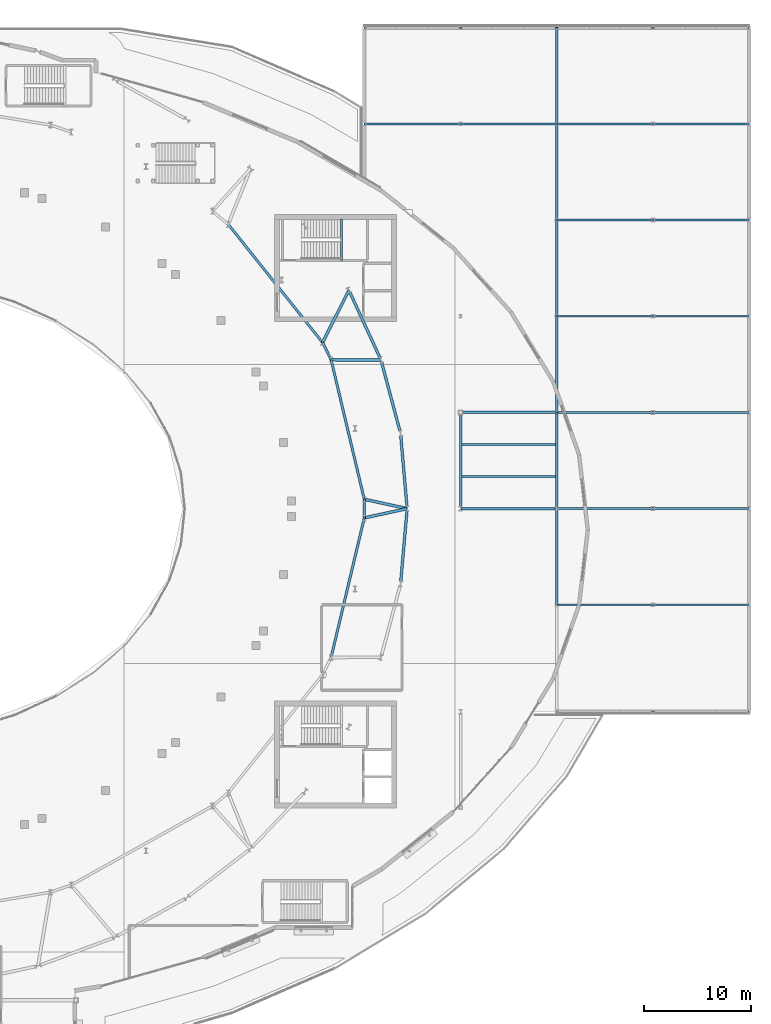
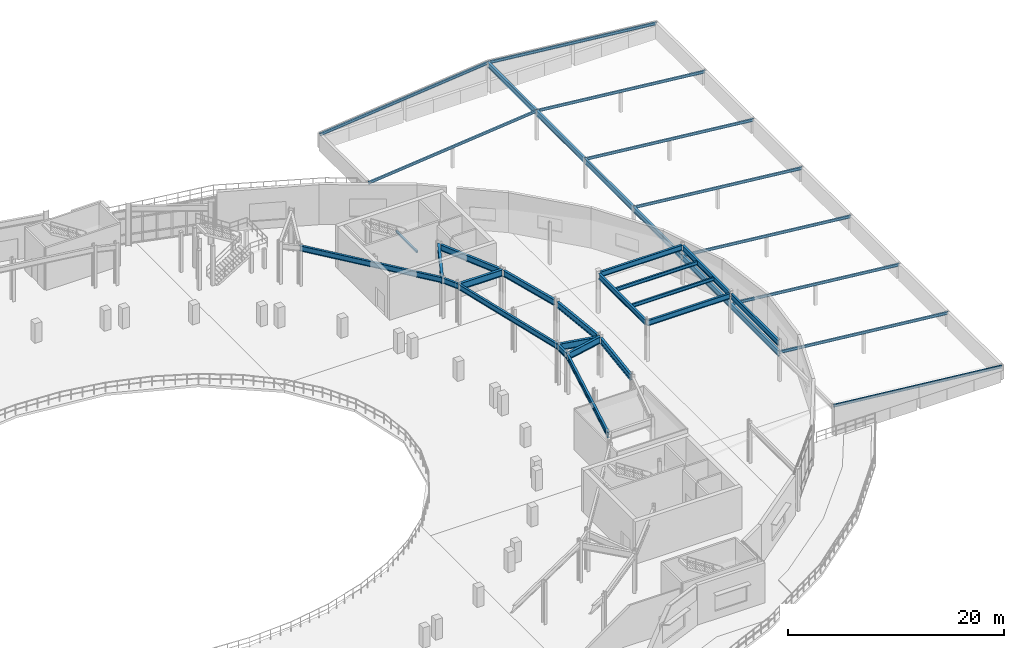
# One storey, part 48 of 84: 37 beams.
"""IFC4 building model written with IfcOpenShell, lengths in metres."""

from ifc_helpers import new_model, si_unit, direction, frame, origin, origin_2d, place, context, subcontext, project, spatial, hollow_rectangle, i_section, extrude, material, material_profile, profile_set, type_object, element, save


model = new_model("IFC4")

# Units and contexts
model_context = context("Model", 3, precision=1e-05, world=origin(), true_north=direction((0.0, 1.0)))
body_context = subcontext(model_context, "Body", "Model", "MODEL_VIEW")
ifc_project = project(units=[si_unit("LENGTHUNIT", "METRE"), si_unit("AREAUNIT", "SQUARE_METRE"), si_unit("VOLUMEUNIT", "CUBIC_METRE"), si_unit("PLANEANGLEUNIT", "RADIAN"), si_unit("MASSUNIT", "GRAM", prefix="KILO")], contexts=[model_context])

# Site, building, storey
site_placement = place(None, origin())
site = spatial("IfcSite", under=ifc_project, at=site_placement, CompositionType="ELEMENT")
building_placement = place(site_placement, origin())
building = spatial("IfcBuilding", under=site, at=building_placement, Name="Glasvene Arena", CompositionType="ELEMENT")
storey_placement = place(building_placement, frame((0.0, 0.0, 10.199951171875)))
storey = spatial("IfcBuildingStorey", under=building, at=storey_placement, Name="L02", CompositionType="ELEMENT", Elevation=10.199951171875)

# Beams
ifc_material = material(Name="Steel S355J2", Category="steel")
ifc_material_profile_1 = material_profile(ifc_material, i_section(OverallWidth=0.228271484375, OverallDepth=0.607666015625, WebThickness=0.010986328125, FlangeThickness=0.017333984375, FilletRadius=0.0126953125, at=origin_2d()), Name="UKB 610x229x113")
ifc_profile_set_1 = profile_set([ifc_material_profile_1], Name="Steel S355J2")
beam_type_1 = type_object("IfcBeamType", Name="BM-GIRD-610", PredefinedType="BEAM", material=ifc_profile_set_1)
beam_1_placement = place(storey_placement, frame((147.050048828125, 73.0, 4.21630859375), z_axis=(1.0, 0.0, 0.0), x_axis=(0.0, 1.0, 0.0)))
element("IfcBeam", 1, at=beam_1_placement, inside=storey, type_object=beam_type_1, Name="Primary X girder L02-0817", PredefinedType="BEAM", context=body_context, shape_type="SweptSolid", body=[
    extrude(i_section(OverallWidth=0.228271484375, OverallDepth=0.607666015625, WebThickness=0.010986328125, FlangeThickness=0.017333984375, FilletRadius=0.0126953125, at=origin_2d()), origin(), (0.0, 0.0, 1.0), 8.804931640625),
])
beam_2_placement = place(storey_placement, frame((147.1982421875, 82.0, 4.21630859375), z_axis=(1.0, 0.0, 0.0), x_axis=(0.0, 1.0, 0.0)))
element("IfcBeam", 2, at=beam_2_placement, inside=storey, type_object=beam_type_1, Name="Primary X girder L02-0818", PredefinedType="BEAM", context=body_context, shape_type="SweptSolid", body=[
    extrude(i_section(OverallWidth=0.228271484375, OverallDepth=0.607666015625, WebThickness=0.010986328125, FlangeThickness=0.017333984375, FilletRadius=0.0126953125, at=origin_2d()), origin(), (0.0, 0.0, 1.0), 8.751708984375),
])
beam_3_placement = place(storey_placement, frame((147.0, 73.195068359375, 4.21630859375), z_axis=(0.0, 1.0, 0.0), x_axis=(-1.0, 0.0, 0.0)))
element("IfcBeam", 3, at=beam_3_placement, inside=storey, type_object=beam_type_1, Name="Primary Y girder L02-0878", PredefinedType="BEAM", context=body_context, shape_type="SweptSolid", body=[
    extrude(i_section(OverallWidth=0.228271484375, OverallDepth=0.607666015625, WebThickness=0.010986328125, FlangeThickness=0.017333984375, FilletRadius=0.0126953125, at=origin_2d()), origin(), (0.0, 0.0, 1.0), 8.606689453125),
])
for number, where, z_axis, x_axis, name in (
    (4, (156.0, 64.125244140625, 4.21630859375), (0.0, 1.0, 0.0), (-1.0, 0.0, 0.0), "Primary Y girder L02-0879"),
    (5, (156.0, 73.14501953125, 4.21630859375), (0.0, 1.0, 0.0), (-1.0, 0.0, 0.0), "Primary Y girder L02-0880"),
):
    element("IfcBeam", number, at=place(storey_placement, frame(where, z_axis=z_axis, x_axis=x_axis)), inside=storey, type_object=beam_type_1, Name=name, PredefinedType="BEAM", context=body_context, shape_type="SweptSolid", body=[
        extrude(i_section(OverallWidth=0.228271484375, OverallDepth=0.607666015625, WebThickness=0.010986328125, FlangeThickness=0.017333984375, FilletRadius=0.0126953125, at=origin_2d()), origin(), (0.0, 0.0, 1.0), 8.729736328125),
    ])
beam_4_placement = place(storey_placement, frame((137.98828125, 73.87353515625, 4.215087890625), z_axis=(-0.23122513322, 0.972900271234, 0.0), x_axis=(-0.972900271234, -0.23122513322, 0.0)))
element("IfcBeam", 6, at=beam_4_placement, inside=storey, type_object=beam_type_1, Name="Concourse inner ring girder L02-01", PredefinedType="BEAM", context=body_context, shape_type="SweptSolid", body=[
    extrude(i_section(OverallWidth=0.228271484375, OverallDepth=0.607666015625, WebThickness=0.010986328125, FlangeThickness=0.017333984375, FilletRadius=0.0126953125, at=origin_2d()), origin(), (0.0, 0.0, 1.0), 13.41259765625),
])
beam_5_placement = place(storey_placement, frame((134.886962890625, 86.922607421875, 4.215087890625), z_axis=(-0.443576698242, 0.896236415672, 0.0), x_axis=(-0.896236415672, -0.443576698242, 0.0)))
element("IfcBeam", 7, at=beam_5_placement, inside=storey, type_object=beam_type_1, Name="Concourse inner ring girder L02-02", PredefinedType="BEAM", context=body_context, shape_type="SweptSolid", body=[
    extrude(i_section(OverallWidth=0.228271484375, OverallDepth=0.607666015625, WebThickness=0.010986328125, FlangeThickness=0.017333984375, FilletRadius=0.0126953125, at=origin_2d()), origin(), (0.0, 0.0, 1.0), 1.80078125),
])
beam_6_placement = place(storey_placement, frame((134.088134765625, 88.53662109375, 4.215087890625), z_axis=(-0.623899670594, 0.781504447226, 0.0), x_axis=(-0.781504447226, -0.623899670594, 0.0)))
element("IfcBeam", 8, at=beam_6_placement, inside=storey, type_object=beam_type_1, Name="Concourse inner ring girder L02-03", PredefinedType="BEAM", context=body_context, shape_type="SweptSolid", body=[
    extrude(i_section(OverallWidth=0.228271484375, OverallDepth=0.607666015625, WebThickness=0.010986328125, FlangeThickness=0.017333984375, FilletRadius=0.0126953125, at=origin_2d()), origin(), (0.0, 0.0, 1.0), 14.1552734375),
])
beam_7_placement = place(storey_placement, frame((134.886962890625, 59.077392578125, 4.215087890625), z_axis=(0.23122513322, 0.972900271234, 0.0), x_axis=(-0.972900271234, 0.23122513322, 0.0)))
element("IfcBeam", 9, at=beam_7_placement, inside=storey, type_object=beam_type_1, Name="Concourse inner ring girder L02-31", PredefinedType="BEAM", context=body_context, shape_type="SweptSolid", body=[
    extrude(i_section(OverallWidth=0.228271484375, OverallDepth=0.607666015625, WebThickness=0.010986328125, FlangeThickness=0.017333984375, FilletRadius=0.0126953125, at=origin_2d()), origin(), (0.0, 0.0, 1.0), 13.41259765625),
])
beam_8_placement = place(storey_placement, frame((137.98828125, 72.12646484375, 4.215087890625), z_axis=(0.0, 1.0, 0.0), x_axis=(-1.0, 0.0, 0.0)))
element("IfcBeam", 10, at=beam_8_placement, inside=storey, type_object=beam_type_1, Name="Concourse inner ring girder L02-32", PredefinedType="BEAM", context=body_context, shape_type="SweptSolid", body=[
    extrude(i_section(OverallWidth=0.228271484375, OverallDepth=0.607666015625, WebThickness=0.010986328125, FlangeThickness=0.017333984375, FilletRadius=0.0126953125, at=origin_2d()), origin(), (0.0, 0.0, 1.0), 1.7470703125),
])
for number, where, z_axis, x_axis, name in (
    (11, (156.0, 64.0, 3.080078125), (0.0, 1.0, 0.0), (-1.0, 0.0, 0.0), "Wing roof ridge beam V5-64"),
    (12, (156.0, 73.0, 3.080078125), (0.0, 1.0, 0.0), (-1.0, 0.0, 0.0), "Wing roof ridge beam V5-73"),
    (13, (156.0, 82.0, 3.080078125), (0.0, 1.0, 0.0), (-1.0, 0.0, 0.0), "Wing roof ridge beam V5-82"),
    (14, (156.0, 91.0, 3.080078125), (0.0, 1.0, 0.0), (-1.0, 0.0, 0.0), "Wing roof ridge beam V5-91"),
    (15, (156.0, 100.0, 3.080078125), (0.0, 1.0, 0.0), (-1.0, 0.0, 0.0), "Wing roof ridge beam V5-100"),
    (16, (156.0, 109.0, 3.080078125), (0.0, 1.0, 0.0), (-1.0, 0.0, 0.0), "Wing roof ridge beam V5-109"),
):
    element("IfcBeam", number, at=place(storey_placement, frame(where, z_axis=z_axis, x_axis=x_axis)), inside=storey, type_object=beam_type_1, Name=name, PredefinedType="BEAM", context=body_context, shape_type="SweptSolid", body=[
        extrude(i_section(OverallWidth=0.228271484375, OverallDepth=0.607666015625, WebThickness=0.010986328125, FlangeThickness=0.017333984375, FilletRadius=0.0126953125, at=origin_2d()), origin(), (0.0, 0.0, 1.0), 9.0),
    ])
ifc_material_profile_2 = material_profile(ifc_material, i_section(OverallWidth=0.253662109375, OverallDepth=0.68359375, WebThickness=0.012451171875, FlangeThickness=0.01904296875, FilletRadius=0.01513671875, at=origin_2d()), Name="UKB 686x254x140")
ifc_profile_set_2 = profile_set([ifc_material_profile_2], Name="Steel S355J2")
beam_type_2 = type_object("IfcBeamType", Name="BM-GIRD-686", PredefinedType="BEAM", material=ifc_profile_set_2)
beam_9_placement = place(storey_placement, frame((141.97900390625, 73.239013671875, 4.178466796875), z_axis=(-0.087106255104, 0.996199026461, 0.0), x_axis=(-0.996199026461, -0.087106255104, 0.0)))
element("IfcBeam", 17, at=beam_9_placement, inside=storey, type_object=beam_type_2, Name="Bowl ring chord beam L02-01", PredefinedType="BEAM", context=body_context, shape_type="SweptSolid", body=[
    extrude(i_section(OverallWidth=0.253662109375, OverallDepth=0.68359375, WebThickness=0.012451171875, FlangeThickness=0.01904296875, FilletRadius=0.01513671875, at=origin_2d()), origin(), (0.0, 0.0, 1.0), 6.586669921875),
])
beam_10_placement = place(storey_placement, frame((141.322509765625, 80.271484375, 4.178466796875), z_axis=(-0.257729153992, 0.966217202901, 0.0), x_axis=(-0.966217202901, -0.257729153992, 0.0)))
element("IfcBeam", 18, at=beam_10_placement, inside=storey, type_object=beam_type_2, Name="Bowl ring chord beam L02-02", PredefinedType="BEAM", context=body_context, shape_type="SweptSolid", body=[
    extrude(i_section(OverallWidth=0.253662109375, OverallDepth=0.68359375, WebThickness=0.012451171875, FlangeThickness=0.01904296875, FilletRadius=0.01513671875, at=origin_2d()), origin(), (0.0, 0.0, 1.0), 6.626220703125),
])
beam_11_placement = place(storey_placement, frame((139.452392578125, 87.123779296875, 4.178466796875), z_axis=(-0.418069169042, 0.908415196866, 0.0), x_axis=(-0.908415196866, -0.418069169042, 0.0)))
element("IfcBeam", 19, at=beam_11_placement, inside=storey, type_object=beam_type_2, Name="Bowl ring chord beam L02-03", PredefinedType="BEAM", context=body_context, shape_type="SweptSolid", body=[
    extrude(i_section(OverallWidth=0.253662109375, OverallDepth=0.68359375, WebThickness=0.012451171875, FlangeThickness=0.01904296875, FilletRadius=0.01513671875, at=origin_2d()), origin(), (0.0, 0.0, 1.0), 6.70166015625),
])
beam_12_placement = place(storey_placement, frame((141.4052734375, 66.199462890625, 4.178466796875), z_axis=(0.087106255104, 0.996199026461, 0.0), x_axis=(-0.996199026461, 0.087106255104, 0.0)))
element("IfcBeam", 20, at=beam_12_placement, inside=storey, type_object=beam_type_2, Name="Bowl ring chord beam L02-40", PredefinedType="BEAM", context=body_context, shape_type="SweptSolid", body=[
    extrude(i_section(OverallWidth=0.253662109375, OverallDepth=0.68359375, WebThickness=0.012451171875, FlangeThickness=0.01904296875, FilletRadius=0.01513671875, at=origin_2d()), origin(), (0.0, 0.0, 1.0), 6.586669921875),
])
ifc_material_profile_3 = material_profile(ifc_material, i_section(OverallWidth=0.2666015625, OverallDepth=0.76220703125, WebThickness=0.014404296875, FlangeThickness=0.021484375, FilletRadius=0.0166015625, at=origin_2d()), Name="UKB 762x267x173")
ifc_profile_set_3 = profile_set([ifc_material_profile_3], Name="Steel S355J2")
beam_type_3 = type_object("IfcBeamType", Name="BM-GIRD-762", PredefinedType="BEAM", material=ifc_profile_set_3)
beam_13_placement = place(storey_placement, frame((137.98828125, 73.87353515625, 4.138916015625), z_axis=(0.977104393575, -0.212760438182, 0.0), x_axis=(0.212760438182, 0.977104393575, 0.0)))
element("IfcBeam", 21, at=beam_13_placement, inside=storey, type_object=beam_type_3, Name="Radial concourse girder L02-01", PredefinedType="BEAM", context=body_context, shape_type="SweptSolid", body=[
    extrude(i_section(OverallWidth=0.2666015625, OverallDepth=0.76220703125, WebThickness=0.014404296875, FlangeThickness=0.021484375, FilletRadius=0.0166015625, at=origin_2d()), origin(), (0.0, 0.0, 1.0), 4.105712890625),
])
beam_14_placement = place(storey_placement, frame((134.886962890625, 86.922607421875, 4.138916015625), z_axis=(0.999993482259, -0.003610462575, 0.0), x_axis=(0.003610462575, 0.999993482259, 0.0)))
element("IfcBeam", 22, at=beam_14_placement, inside=storey, type_object=beam_type_3, Name="Radial concourse girder L02-02", PredefinedType="BEAM", context=body_context, shape_type="SweptSolid", body=[
    extrude(i_section(OverallWidth=0.2666015625, OverallDepth=0.76220703125, WebThickness=0.014404296875, FlangeThickness=0.021484375, FilletRadius=0.0166015625, at=origin_2d()), origin(), (0.0, 0.0, 1.0), 4.665771484375),
])
beam_15_placement = place(storey_placement, frame((134.088134765625, 88.53662109375, 4.138916015625), z_axis=(0.449494152887, 0.893283273391, 0.0), x_axis=(-0.893283273391, 0.449494152887, 0.0)))
element("IfcBeam", 23, at=beam_15_placement, inside=storey, type_object=beam_type_3, Name="Radial concourse girder L02-03", PredefinedType="BEAM", context=body_context, shape_type="SweptSolid", body=[
    extrude(i_section(OverallWidth=0.2666015625, OverallDepth=0.76220703125, WebThickness=0.014404296875, FlangeThickness=0.021484375, FilletRadius=0.0166015625, at=origin_2d()), origin(), (0.0, 0.0, 1.0), 5.4775390625),
])
beam_16_placement = place(storey_placement, frame((137.98828125, 72.12646484375, 4.138916015625), z_axis=(0.977104393575, 0.212760438182, 0.0), x_axis=(-0.212760438182, 0.977104393575, 0.0)))
element("IfcBeam", 24, at=beam_16_placement, inside=storey, type_object=beam_type_3, Name="Radial concourse girder L02-32", PredefinedType="BEAM", context=body_context, shape_type="SweptSolid", body=[
    extrude(i_section(OverallWidth=0.2666015625, OverallDepth=0.76220703125, WebThickness=0.014404296875, FlangeThickness=0.021484375, FilletRadius=0.0166015625, at=origin_2d()), origin(), (0.0, 0.0, 1.0), 4.105712890625),
])
ifc_material_profile_4 = material_profile(ifc_material, i_section(OverallWidth=0.177978515625, OverallDepth=0.406494140625, WebThickness=0.0078125, FlangeThickness=0.0126953125, FilletRadius=0.01025390625, at=origin_2d()), Name="UKB 406x178x60")
ifc_profile_set_4 = profile_set([ifc_material_profile_4], Name="Steel S355J2")
beam_type_4 = type_object("IfcBeamType", Name="BM-JOIST-406", PredefinedType="JOIST", material=ifc_profile_set_4)
for number, where, z_axis, x_axis, name in (
    (25, (147.110107421875, 76.0, 4.31689453125), (1.0, 0.0, 0.0), (0.0, 1.0, 0.0), "Composite floor joist L02-0937"),
    (26, (147.110107421875, 79.0, 4.31689453125), (1.0, 0.0, 0.0), (0.0, 1.0, 0.0), "Composite floor joist L02-0938"),
):
    element("IfcBeam", number, at=place(storey_placement, frame(where, z_axis=z_axis, x_axis=x_axis)), inside=storey, type_object=beam_type_4, Name=name, PredefinedType="JOIST", context=body_context, shape_type="SweptSolid", body=[
        extrude(i_section(OverallWidth=0.177978515625, OverallDepth=0.406494140625, WebThickness=0.0078125, FlangeThickness=0.0126953125, FilletRadius=0.01025390625, at=origin_2d()), origin(), (0.0, 0.0, 1.0), 8.77978515625),
    ])
ifc_material_profile_5 = material_profile(ifc_material, hollow_rectangle(XDim=0.199951171875, YDim=0.199951171875, WallThickness=0.010009765625, at=origin_2d()), Name="SHS 200x200x10.0")
ifc_profile_set_5 = profile_set([ifc_material_profile_5], Name="Steel S355J2")
beam_type_5 = type_object("IfcBeamType", Name="BM-LINTEL-200", PredefinedType="LINTEL", material=ifc_profile_set_5)
beam_17_placement = place(storey_placement, frame((135.860107421875, 96.22998046875, 2.080078125), z_axis=(0.0, 1.0, 0.0), x_axis=(-1.0, 0.0, 0.0)))
element("IfcBeam", 27, at=beam_17_placement, inside=storey, type_object=beam_type_5, Name="Stair half-landing support beam ST-02-L02", PredefinedType="LINTEL", context=body_context, shape_type="SweptSolid", body=[
    extrude(hollow_rectangle(XDim=0.199951171875, YDim=0.199951171875, WallThickness=0.010009765625, at=origin_2d()), origin(), (0.0, 0.0, 1.0), 3.89013671875),
])
ifc_material_profile_6 = material_profile(ifc_material, i_section(OverallWidth=0.1650390625, OverallDepth=0.303466796875, WebThickness=0.006103515625, FlangeThickness=0.01025390625, FilletRadius=0.0087890625, at=origin_2d()), Name="UKB 305x165x40")
ifc_profile_set_6 = profile_set([ifc_material_profile_6], Name="Steel S355J2")
beam_type_6 = type_object("IfcBeamType", Name="BM-RAFTER-305", PredefinedType="BEAM", material=ifc_profile_set_6)
for number, where, z_axis, x_axis, name in (
    (28, (156.0, 54.0, 3.239990234375), (0.994760666044, 0.0, -0.102231195294), (0.0, 1.0, 0.0), "Wing roof rafter V5-E-54"),
    (29, (156.0, 64.0, 3.239990234375), (0.994760666044, 0.0, -0.102231195294), (0.0, 1.0, 0.0), "Wing roof rafter V5-E-64"),
    (30, (156.0, 73.0, 3.239990234375), (0.994760666044, 0.0, -0.102231195294), (0.0, 1.0, 0.0), "Wing roof rafter V5-E-73"),
    (31, (156.0, 82.0, 3.239990234375), (0.994760666044, 0.0, -0.102231195294), (0.0, 1.0, 0.0), "Wing roof rafter V5-E-82"),
    (32, (156.0, 91.0, 3.239990234375), (0.994760666044, 0.0, -0.102231195294), (0.0, 1.0, 0.0), "Wing roof rafter V5-E-91"),
    (33, (156.0, 100.0, 3.239990234375), (0.994760666044, 0.0, -0.102231195294), (0.0, 1.0, 0.0), "Wing roof rafter V5-E-100"),
    (34, (138.0, 109.0, 1.39013671875), (0.994760666044, 0.0, 0.102231195294), (0.0, 1.0, 0.0), "Wing roof rafter V5-W-109"),
    (35, (156.0, 109.0, 3.239990234375), (0.994760666044, 0.0, -0.102231195294), (0.0, 1.0, 0.0), "Wing roof rafter V5-E-109"),
    (36, (138.0, 118.0, 1.39013671875), (0.994760666044, 0.0, 0.102231195294), (0.0, 1.0, 0.0), "Wing roof rafter V5-W-118"),
    (37, (156.0, 118.0, 3.239990234375), (0.994760666044, 0.0, -0.102231195294), (0.0, 1.0, 0.0), "Wing roof rafter V5-E-118"),
):
    element("IfcBeam", number, at=place(storey_placement, frame(where, z_axis=z_axis, x_axis=x_axis)), inside=storey, type_object=beam_type_6, Name=name, PredefinedType="BEAM", context=body_context, shape_type="SweptSolid", body=[
        extrude(i_section(OverallWidth=0.1650390625, OverallDepth=0.303466796875, WebThickness=0.006103515625, FlangeThickness=0.01025390625, FilletRadius=0.0087890625, at=origin_2d()), origin(), (0.0, 0.0, 1.0), 18.0947265625),
    ])

save(model, "model.ifc")
